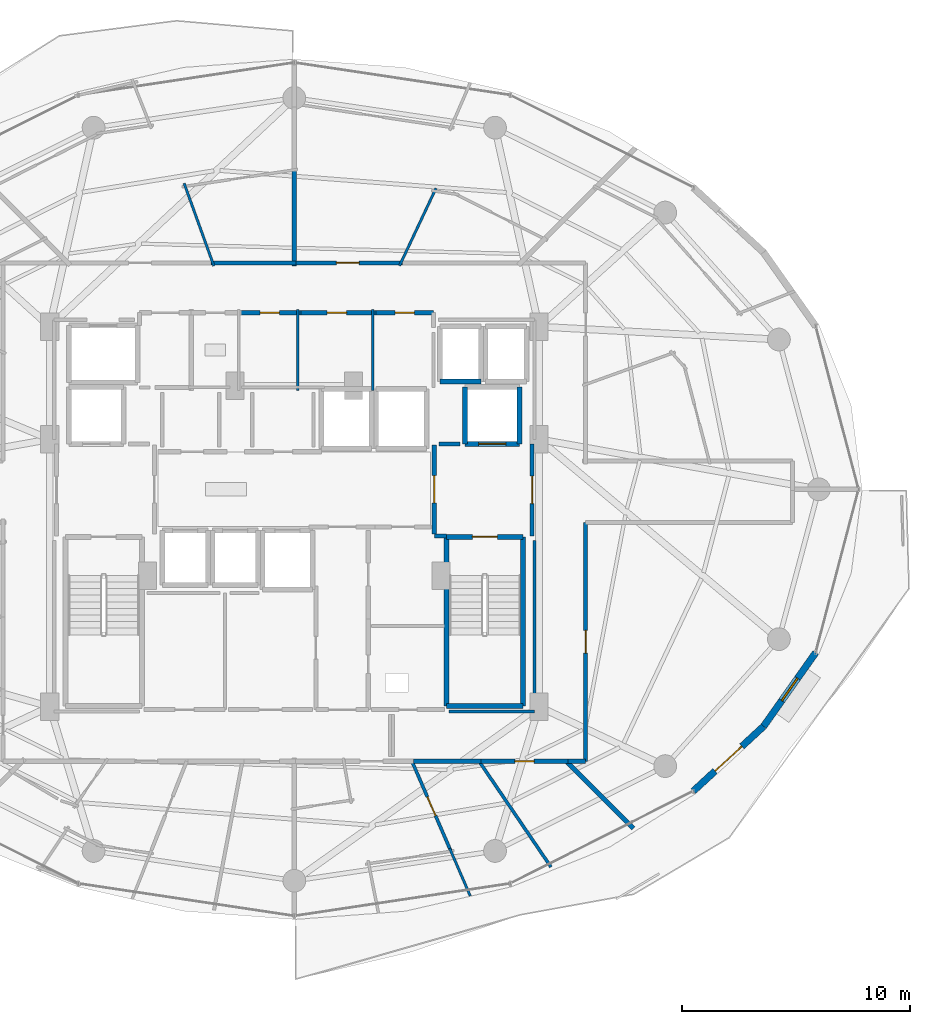
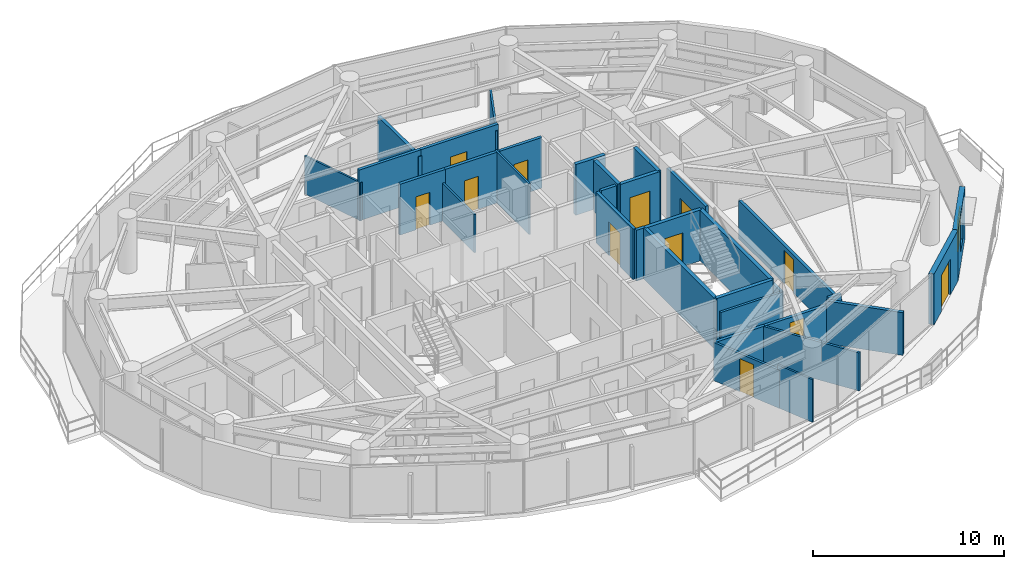
# One storey, part 25 of 31: 34 walls, 12 doors, 1 window, 13 openings.
"""IFC4 building model written with IfcOpenShell, lengths in metres."""

from ifc_helpers import new_model, si_unit, direction, frame, frame_2d, origin, place, context, subcontext, project, spatial, rectangle, extrude, material, layer, layer_set, type_object, element, fill, save


model = new_model("IFC4")

# Units and contexts
model_context = context("Model", 3, precision=1e-05, world=origin(), true_north=direction((0.0, 1.0)))
body_context = subcontext(model_context, "Body", "Model", "MODEL_VIEW")
ifc_project = project(units=[si_unit("LENGTHUNIT", "METRE"), si_unit("AREAUNIT", "SQUARE_METRE"), si_unit("VOLUMEUNIT", "CUBIC_METRE"), si_unit("PLANEANGLEUNIT", "RADIAN"), si_unit("MASSUNIT", "GRAM", prefix="KILO")], contexts=[model_context])

# Site, building, storey
site_placement = place(None, origin())
site = spatial("IfcSite", under=ifc_project, at=site_placement, CompositionType="ELEMENT")
building_placement = place(site_placement, origin())
building = spatial("IfcBuilding", under=site, at=building_placement, Name="Vorneva Point Tower", CompositionType="ELEMENT")
storey_placement = place(building_placement, frame((0.0, 0.0, 129.10009765625)))
storey = spatial("IfcBuildingStorey", under=building, at=storey_placement, Name="L34", CompositionType="ELEMENT", Elevation=129.10009765625)

# Wall, opening, door
ifc_material_1 = material(Name="Concrete B60 (C50/60)", Category="concrete")
ifc_layer_1 = layer(ifc_material_1, 0.5)
ifc_layer_set_1 = layer_set([ifc_layer_1], Name="Concrete B60 (C50/60)")
wall_type_1 = type_object("IfcWallType", Name="WL-CORE-500", PredefinedType="SHEAR", material=ifc_layer_set_1)
wall_1_placement = place(storey_placement, frame((45.5, 28.0, 0.0), z_axis=(0.0, 0.0, 1.0), x_axis=(1.0, 0.0, 0.0)))
wall_1 = element("IfcWall", 1, at=wall_1_placement, inside=storey, type_object=wall_type_1, Name="L34 Lift FFL2 Shaft Wall -Y", PredefinedType="SHEAR", context=body_context, shape_type="SweptSolid", body=[
    extrude(rectangle(XDim=2.39990234375, YDim=0.219970703125, at=frame_2d((1.199951171875, 0.0))), origin(), (0.0, 0.0, 1.0), 3.239990234375),
])
opening_1_placement = place(wall_1_placement, frame((0.60009765625, 0.0, 0.0)))
opening_1 = element("IfcOpeningElement", 2, at=opening_1_placement, cuts=wall_1, Name="Opening LD-02", PredefinedType="OPENING", context=body_context, shape_type="SweptSolid", body=[
    extrude(rectangle(XDim=1.199951171875, YDim=2.199951171875, at=frame_2d((0.60009765625, 1.10009765625))), frame((0.0, 0.125, 0.0), z_axis=(0.0, -1.0, 0.0), x_axis=(1.0, 0.0, 0.0)), (0.0, 0.0, 1.0), 0.249755859375),
])
ifc_material_2 = material(Name="Brushed stainless steel S304", Category="steel")
door_type_1 = type_object("IfcDoorType", Name="LD-FIRE-1200", OperationType="SLIDING_TO_LEFT", PredefinedType="DOOR", material=ifc_material_2)
door_1_placement = place(opening_1_placement, origin())
door_1 = element("IfcDoor", 3, at=door_1_placement, inside=storey, type_object=door_type_1, Name="L34 Lift FFL2 Sliding Landing Door", OperationType="SLIDING_TO_LEFT", OverallHeight=2.199951171875, OverallWidth=1.199951171875, PredefinedType="DOOR", context=body_context, shape_type="SweptSolid", body=[
    extrude(rectangle(XDim=1.199951171875, YDim=2.199951171875, at=frame_2d((0.60009765625, 1.10009765625))), frame((0.0, 0.02490234375, 0.0), z_axis=(0.0, -1.0, 0.0), x_axis=(1.0, 0.0, 0.0)), (0.0, 0.0, 1.0), 0.050048828125),
])
fill(opening_1, door_1)

# Walls
for number, where, z_axis, x_axis, name in (
    (4, (47.89990234375, 28.0, 0.0), (0.0, 0.0, 1.0), (0.0, 1.0, 0.0), "L34 Lift FFL2 Shaft Wall +X"),
    (5, (45.5, 30.5, 0.0), (0.0, 0.0, 1.0), (0.0, -1.0, 0.0), "L34 Lift FFL2 Shaft Wall -X"),
):
    element("IfcWall", number, at=place(storey_placement, frame(where, z_axis=z_axis, x_axis=x_axis)), inside=storey, type_object=wall_type_1, Name=name, PredefinedType="SHEAR", context=body_context, shape_type="SweptSolid", body=[
        extrude(rectangle(XDim=2.5, YDim=0.219970703125, at=frame_2d((1.25, 0.0))), origin(), (0.0, 0.0, 1.0), 3.239990234375),
    ])

# Wall, opening, door
ifc_material_3 = material(Name="Precast concrete B50 (C40/50)", Category="concrete")
ifc_layer_2 = layer(ifc_material_3, 0.300048828125)
ifc_layer_set_2 = layer_set([ifc_layer_2], Name="Precast concrete B50 (C40/50)")
wall_type_2 = type_object("IfcWallType", Name="WL-EXT-300", PredefinedType="STANDARD", material=ifc_layer_set_2)
wall_2_placement = place(storey_placement, frame((55.5361328125, 12.74169921875, 0.0), z_axis=(0.0, 0.0, 1.0), x_axis=(0.735477154165, 0.677549522693, 0.0)))
wall_2 = element("IfcWall", 6, at=wall_2_placement, inside=storey, type_object=wall_type_2, Name="L34 Pale-Metal Facade Spandrel Wall 15.1", PredefinedType="STANDARD", context=body_context, shape_type="SweptSolid", body=[
    extrude(rectangle(XDim=4.193603515625, YDim=0.300048828125, at=frame_2d((2.0966796875, 0.0))), origin(), (0.0, 0.0, 1.0), 3.239990234375),
])
opening_2_placement = place(wall_2_placement, frame((1.296875, 0.0, 0.0)))
opening_2 = element("IfcOpeningElement", 7, at=opening_2_placement, cuts=wall_2, Name="Opening BD-01", PredefinedType="OPENING", context=body_context, shape_type="SweptSolid", body=[
    extrude(rectangle(XDim=1.60009765625, YDim=2.300048828125, at=frame_2d((0.800048828125, 1.14990234375))), frame((0.0, 0.1650390625, 0.0), z_axis=(0.0, -1.0, 0.0), x_axis=(1.0, 0.0, 0.0)), (0.0, 0.0, 1.0), 0.329833984375),
])
ifc_material_4 = material(Name="Pale anodised aluminium", Category="aluminium")
door_type_2 = type_object("IfcDoorType", Name="DR-BAL-1600", OperationType="SLIDING_TO_LEFT", PredefinedType="DOOR", material=ifc_material_4)
door_2_placement = place(opening_2_placement, origin())
door_2 = element("IfcDoor", 8, at=door_2_placement, inside=storey, type_object=door_type_2, Name="L34 Balcony Terrace Access Door 15", OperationType="SLIDING_TO_LEFT", OverallHeight=2.300048828125, OverallWidth=1.60009765625, PredefinedType="DOOR", context=body_context, shape_type="SweptSolid", body=[
    extrude(rectangle(XDim=1.60009765625, YDim=2.300048828125, at=frame_2d((0.800048828125, 1.14990234375))), frame((0.0, 0.02490234375, 0.0), z_axis=(0.0, -1.0, 0.0), x_axis=(1.0, 0.0, 0.0)), (0.0, 0.0, 1.0), 0.050048828125),
])
fill(opening_2, door_2)

# Wall, opening, window
wall_3_placement = place(storey_placement, frame((58.620361328125, 15.5830078125, 0.0), z_axis=(0.0, 0.0, 1.0), x_axis=(0.577269753207, 0.816553508371, 0.0)))
wall_3 = element("IfcWall", 9, at=wall_3_placement, inside=storey, type_object=wall_type_2, Name="L34 Pale-Metal Facade Spandrel Wall 15.2", PredefinedType="STANDARD", context=body_context, shape_type="SweptSolid", body=[
    extrude(rectangle(XDim=3.969970703125, YDim=0.300048828125, at=frame_2d((1.98486328125, 0.0))), origin(), (0.0, 0.0, 1.0), 3.239990234375),
])
opening_3_placement = place(wall_3_placement, frame((1.385009765625, 0.0, 0.85009765625)))
opening_3 = element("IfcOpeningElement", 10, at=opening_3_placement, cuts=wall_3, Name="Opening W-04", PredefinedType="OPENING", context=body_context, shape_type="SweptSolid", body=[
    extrude(rectangle(XDim=1.199951171875, YDim=2.10009765625, at=frame_2d((0.60009765625, 1.050048828125))), frame((0.0, 0.1650390625, 0.0), z_axis=(0.0, -1.0, 0.0), x_axis=(1.0, 0.0, 0.0)), (0.0, 0.0, 1.0), 0.329833984375),
])
ifc_material_5 = material(Name="Double low-e laminated glass IGU", Category="glass")
window_type = type_object("IfcWindowType", Name="WN-RES-1200", PartitioningType="SINGLE_PANEL", PredefinedType="WINDOW", material=ifc_material_5)
window_placement = place(opening_3_placement, origin())
window = element("IfcWindow", 11, at=window_placement, inside=storey, type_object=window_type, Name="L34 Facade Window 15", OverallHeight=2.10009765625, OverallWidth=1.199951171875, PartitioningType="SINGLE_PANEL", PredefinedType="WINDOW", context=body_context, shape_type="SweptSolid", body=[
    extrude(rectangle(XDim=1.199951171875, YDim=2.10009765625, at=frame_2d((0.60009765625, 1.050048828125))), frame((0.0, 0.030029296875, 0.0), z_axis=(0.0, -1.0, 0.0), x_axis=(1.0, 0.0, 0.0)), (0.0, 0.0, 1.0), 0.06005859375),
])
fill(opening_3, window)

# Walls
ifc_material_6 = material(Name="Fire-rated acoustic gypsum stud partition", Category="gypsum")
ifc_layer_3 = layer(ifc_material_6, 0.110107421875)
ifc_layer_set_3 = layer_set([ifc_layer_3], Name="Fire-rated acoustic gypsum stud partition")
wall_type_3 = type_object("IfcWallType", Name="WL-PART-110", PredefinedType="PARTITIONING", material=ifc_layer_set_3)
wall_4_placement = place(storey_placement, frame((38.14990234375, 30.340087890625, 0.0), z_axis=(0.0, 0.0, 1.0), x_axis=(0.0, 1.0, 0.0)))
element("IfcWall", 12, at=wall_4_placement, inside=storey, type_object=wall_type_3, Name="L34 Interior Partition 023", PredefinedType="PARTITIONING", context=body_context, shape_type="SweptSolid", body=[
    extrude(rectangle(XDim=3.559814453125, YDim=0.110107421875, at=frame_2d((1.77978515625, 0.0))), origin(), (0.0, 0.0, 1.0), 2.431884765625),
])
wall_5_placement = place(storey_placement, frame((41.449951171875, 30.340087890625, 0.0), z_axis=(0.0, 0.0, 1.0), x_axis=(0.0, 1.0, 0.0)))
element("IfcWall", 13, at=wall_5_placement, inside=storey, type_object=wall_type_3, Name="L34 Interior Partition 026", PredefinedType="PARTITIONING", context=body_context, shape_type="SweptSolid", body=[
    extrude(rectangle(XDim=3.559814453125, YDim=0.110107421875, at=frame_2d((1.77978515625, 0.0))), origin(), (0.0, 0.0, 1.0), 3.239990234375),
])
wall_6_placement = place(storey_placement, frame((42.622314453125, 35.8232421875, 0.0), z_axis=(0.0, 0.0, 1.0), x_axis=(0.425768969191, 0.904831909735, 0.0)))
element("IfcWall", 14, at=wall_6_placement, inside=storey, type_object=wall_type_3, Name="L34 Interior Partition 079", PredefinedType="PARTITIONING", context=body_context, shape_type="SweptSolid", body=[
    extrude(rectangle(XDim=3.770263671875, YDim=0.110107421875, at=frame_2d((1.88525390625, 0.0))), origin(), (0.0, 0.0, 1.0), 2.8740234375),
])
wall_7_placement = place(storey_placement, frame((34.46533203125, 35.818359375, 0.0), z_axis=(0.0, 0.0, 1.0), x_axis=(-0.338813618534, 0.940853512453, 0.0)))
element("IfcWall", 15, at=wall_7_placement, inside=storey, type_object=wall_type_3, Name="L34 Interior Partition 087", PredefinedType="PARTITIONING", context=body_context, shape_type="SweptSolid", body=[
    extrude(rectangle(XDim=3.8564453125, YDim=0.110107421875, at=frame_2d((1.92822265625, 0.0))), origin(), (0.0, 0.0, 1.0), 2.431884765625),
])
wall_8_placement = place(storey_placement, frame((45.731689453125, 8.133544921875, 0.0), z_axis=(0.0, 0.0, 1.0), x_axis=(-0.397125966554, 0.91776411277, 0.0)))
element("IfcWall", 16, at=wall_8_placement, inside=storey, type_object=wall_type_3, Name="L34 Interior Partition 132", PredefinedType="PARTITIONING", context=body_context, shape_type="SweptSolid", body=[
    extrude(rectangle(XDim=2.277099609375, YDim=0.110107421875, at=frame_2d((1.138671875, 0.0))), origin(), (0.0, 0.0, 1.0), 2.727783203125),
])

# Wall, opening, door
ifc_layer_4 = layer(ifc_material_6, 0.139892578125)
ifc_layer_set_4 = layer_set([ifc_layer_4], Name="Fire-rated acoustic gypsum stud partition")
wall_type_4 = type_object("IfcWallType", Name="WL-PART-140", PredefinedType="PARTITIONING", material=ifc_layer_set_4)
wall_9_placement = place(storey_placement, frame((44.883056640625, 10.094970703125, 0.0), z_axis=(0.0, 0.0, 1.0), x_axis=(-0.397273563399, 0.917700232006, 0.0)))
wall_9 = element("IfcWall", 17, at=wall_9_placement, inside=storey, type_object=wall_type_4, Name="L34 Interior Partition 131", PredefinedType="PARTITIONING", context=body_context, shape_type="SweptSolid", body=[
    extrude(rectangle(XDim=4.309814453125, YDim=0.139892578125, at=frame_2d((2.15478515625, 0.0))), origin(), (0.0, 0.0, 1.0), 2.431884765625),
])
opening_4_placement = place(wall_9_placement, frame((1.704833984375, 0.0, 0.0)))
opening_4 = element("IfcOpeningElement", 18, at=opening_4_placement, cuts=wall_9, Name="Opening ID-01", PredefinedType="OPENING", context=body_context, shape_type="SweptSolid", body=[
    extrude(rectangle(XDim=0.89990234375, YDim=2.10009765625, at=frame_2d((0.449951171875, 1.050048828125))), frame((0.0, 0.0849609375, 0.0), z_axis=(0.0, -1.0, 0.0), x_axis=(1.0, 0.0, 0.0)), (0.0, 0.0, 1.0), 0.169677734375),
])
ifc_material_7 = material(Name="Engineered oak fire-rated door leaf", Category="wood")
door_type_3 = type_object("IfcDoorType", Name="DR-ROOM-900", OperationType="NOTDEFINED", PredefinedType="DOOR", material=ifc_material_7)
door_3_placement = place(opening_4_placement, origin())
door_3 = element("IfcDoor", 19, at=door_3_placement, inside=storey, type_object=door_type_3, Name="L34 Door Living and Dining Room L34-07 / Master Bedroom L34-07.1", OperationType="SINGLE_SWING_LEFT", OverallHeight=2.10009765625, OverallWidth=0.89990234375, PredefinedType="DOOR", context=body_context, shape_type="SweptSolid", body=[
    extrude(rectangle(XDim=0.89990234375, YDim=2.10009765625, at=frame_2d((0.449951171875, 1.050048828125))), frame((0.0, 0.02490234375, 0.0), z_axis=(0.0, -1.0, 0.0), x_axis=(1.0, 0.0, 0.0)), (0.0, 0.0, 1.0), 0.050048828125),
])
fill(opening_4, door_3)

# Walls
wall_10_placement = place(storey_placement, frame((49.280029296875, 9.402099609375, 0.0), z_axis=(0.0, 0.0, 1.0), x_axis=(-0.562106811751, 0.827064648128, 0.0)))
element("IfcWall", 20, at=wall_10_placement, inside=storey, type_object=wall_type_4, Name="L34 Interior Partition 133", PredefinedType="PARTITIONING", context=body_context, shape_type="SweptSolid", body=[
    extrude(rectangle(XDim=5.619873046875, YDim=0.139892578125, at=frame_2d((2.81005859375, 0.0))), origin(), (0.0, 0.0, 1.0), 2.431884765625),
])
wall_11_placement = place(storey_placement, frame((44.804931640625, 16.239990234375, 0.0), z_axis=(0.0, 0.0, 1.0), x_axis=(1.0, 0.0, 0.0)))
element("IfcWall", 21, at=wall_11_placement, inside=storey, type_object=wall_type_4, Name="L34 Interior Closure Partition 154", PredefinedType="PARTITIONING", context=body_context, shape_type="SweptSolid", body=[
    extrude(rectangle(XDim=3.7451171875, YDim=0.139892578125, at=frame_2d((1.87255859375, 0.0))), origin(), (0.0, 0.0, 1.0), 2.431884765625),
])
wall_12_placement = place(storey_placement, frame((48.550048828125, 16.239990234375, 0.0), z_axis=(0.0, 0.0, 1.0), x_axis=(0.0, 1.0, 0.0)))
element("IfcWall", 22, at=wall_12_placement, inside=storey, type_object=wall_type_4, Name="L34 Interior Closure Partition 155", PredefinedType="PARTITIONING", context=body_context, shape_type="SweptSolid", body=[
    extrude(rectangle(XDim=7.513916015625, YDim=0.139892578125, at=frame_2d((3.7568359375, 0.0))), origin(), (0.0, 0.0, 1.0), 2.431884765625),
])

# Wall, opening, door
ifc_material_8 = material(Name="Autoclaved aerated concrete blockwork", Category="masonry")
ifc_layer_5 = layer(ifc_material_8, 0.179931640625)
ifc_layer_set_5 = layer_set([ifc_layer_5], Name="Autoclaved aerated concrete blockwork")
wall_type_5 = type_object("IfcWallType", Name="WL-PART-180", PredefinedType="PARTITIONING", material=ifc_layer_set_5)
wall_13_placement = place(storey_placement, frame((44.14990234375, 27.955078125, 0.0), z_axis=(0.0, 0.0, 1.0), x_axis=(0.0, -1.0, 0.0)))
wall_13 = element("IfcWall", 23, at=wall_13_placement, inside=storey, type_object=wall_type_5, Name="L34 Interior Partition 003", PredefinedType="PARTITIONING", context=body_context, shape_type="SweptSolid", body=[
    extrude(rectangle(XDim=3.91015625, YDim=0.179931640625, at=frame_2d((1.955078125, 0.0))), origin(), (0.0, 0.0, 1.0), 3.239990234375),
])
opening_5_placement = place(wall_13_placement, frame((1.35498046875, 0.0, 0.0)))
opening_5 = element("IfcOpeningElement", 24, at=opening_5_placement, cuts=wall_13, Name="Opening FD-02", PredefinedType="OPENING", context=body_context, shape_type="SweptSolid", body=[
    extrude(rectangle(XDim=1.199951171875, YDim=2.14990234375, at=frame_2d((0.60009765625, 1.074951171875))), frame((0.0, 0.10498046875, 0.0), z_axis=(0.0, -1.0, 0.0), x_axis=(1.0, 0.0, 0.0)), (0.0, 0.0, 1.0), 0.209716796875),
])
ifc_material_9 = material(Name="Fire-rated powder-coated steel", Category="steel")
door_type_4 = type_object("IfcDoorType", Name="DR-FFL-1200", OperationType="NOTDEFINED", PredefinedType="DOOR", material=ifc_material_9)
door_4_placement = place(opening_5_placement, origin())
door_4 = element("IfcDoor", 25, at=door_4_placement, inside=storey, type_object=door_type_4, Name="L34 Door East Firefighting Lobby / Central Lift Lobby", OperationType="SINGLE_SWING_RIGHT", OverallHeight=2.14990234375, OverallWidth=1.199951171875, PredefinedType="DOOR", context=body_context, shape_type="SweptSolid", body=[
    extrude(rectangle(XDim=1.199951171875, YDim=2.14990234375, at=frame_2d((0.60009765625, 1.074951171875))), frame((0.0, 0.02490234375, 0.0), z_axis=(0.0, -1.0, 0.0), x_axis=(1.0, 0.0, 0.0)), (0.0, 0.0, 1.0), 0.050048828125),
])
fill(opening_5, door_4)

# Wall
wall_14_placement = place(storey_placement, frame((44.14990234375, 23.949951171875, 0.0), z_axis=(0.0, 0.0, 1.0), x_axis=(1.0, 0.0, 0.0)))
element("IfcWall", 26, at=wall_14_placement, inside=storey, type_object=wall_type_5, Name="L34 Interior Partition 004", PredefinedType="PARTITIONING", context=body_context, shape_type="SweptSolid", body=[
    extrude(rectangle(XDim=0.5400390625, YDim=0.179931640625, at=frame_2d((0.27001953125, 0.0))), origin(), (0.0, 0.0, 1.0), 3.239990234375),
])

# Wall, opening, door
wall_15_placement = place(storey_placement, frame((48.449951171875, 23.949951171875, 0.0), z_axis=(0.0, 0.0, 1.0), x_axis=(0.0, 1.0, 0.0)))
wall_15 = element("IfcWall", 27, at=wall_15_placement, inside=storey, type_object=wall_type_5, Name="L34 Interior Partition 005", PredefinedType="PARTITIONING", context=body_context, shape_type="SweptSolid", body=[
    extrude(rectangle(XDim=4.050048828125, YDim=0.179931640625, at=frame_2d((2.02490234375, 0.0))), origin(), (0.0, 0.0, 1.0), 3.239990234375),
])
opening_6_placement = place(wall_15_placement, frame((1.425048828125, 0.0, 0.0)))
opening_6 = element("IfcOpeningElement", 28, at=opening_6_placement, cuts=wall_15, Name="Opening FD-02", PredefinedType="OPENING", context=body_context, shape_type="SweptSolid", body=[
    extrude(rectangle(XDim=1.199951171875, YDim=2.14990234375, at=frame_2d((0.60009765625, 1.074951171875))), frame((0.0, 0.10498046875, 0.0), z_axis=(0.0, -1.0, 0.0), x_axis=(1.0, 0.0, 0.0)), (0.0, 0.0, 1.0), 0.209716796875),
])
door_5_placement = place(opening_6_placement, origin())
door_5 = element("IfcDoor", 29, at=door_5_placement, inside=storey, type_object=door_type_4, Name="L34 Door East Firefighting Lobby / L34 Circulation Corridor", OperationType="SINGLE_SWING_LEFT", OverallHeight=2.14990234375, OverallWidth=1.199951171875, PredefinedType="DOOR", context=body_context, shape_type="SweptSolid", body=[
    extrude(rectangle(XDim=1.199951171875, YDim=2.14990234375, at=frame_2d((0.60009765625, 1.074951171875))), frame((0.0, 0.02490234375, 0.0), z_axis=(0.0, -1.0, 0.0), x_axis=(1.0, 0.0, 0.0)), (0.0, 0.0, 1.0), 0.050048828125),
])
fill(opening_6, door_5)

wall_16_placement = place(storey_placement, frame((38.2900390625, 33.760009765625, 0.0), z_axis=(0.0, 0.0, 1.0), x_axis=(-1.0, 0.0, 0.0)))
wall_16 = element("IfcWall", 30, at=wall_16_placement, inside=storey, type_object=wall_type_5, Name="L34 Interior Partition 025", PredefinedType="PARTITIONING", context=body_context, shape_type="SweptSolid", body=[
    extrude(rectangle(XDim=2.739990234375, YDim=0.179931640625, at=frame_2d((1.3701171875, 0.0))), origin(), (0.0, 0.0, 1.0), 3.239990234375),
])
opening_7_placement = place(wall_16_placement, frame((0.945068359375, 0.0, 0.0)))
opening_7 = element("IfcOpeningElement", 31, at=opening_7_placement, cuts=wall_16, Name="Opening ID-02", PredefinedType="OPENING", context=body_context, shape_type="SweptSolid", body=[
    extrude(rectangle(XDim=0.85009765625, YDim=2.10009765625, at=frame_2d((0.425048828125, 1.050048828125))), frame((0.0, 0.10498046875, 0.0), z_axis=(0.0, -1.0, 0.0), x_axis=(1.0, 0.0, 0.0)), (0.0, 0.0, 1.0), 0.209716796875),
])
door_type_5 = type_object("IfcDoorType", Name="DR-BATH-850", OperationType="NOTDEFINED", PredefinedType="DOOR", material=ifc_material_7)
door_6_placement = place(opening_7_placement, origin())
door_6 = element("IfcDoor", 32, at=door_6_placement, inside=storey, type_object=door_type_5, Name="L34 Door Public Male WC / L34 Circulation Corridor", OperationType="SINGLE_SWING_LEFT", OverallHeight=2.10009765625, OverallWidth=0.85009765625, PredefinedType="DOOR", context=body_context, shape_type="SweptSolid", body=[
    extrude(rectangle(XDim=0.85009765625, YDim=2.10009765625, at=frame_2d((0.425048828125, 1.050048828125))), frame((0.0, 0.02490234375, 0.0), z_axis=(0.0, -1.0, 0.0), x_axis=(1.0, 0.0, 0.0)), (0.0, 0.0, 1.0), 0.050048828125),
])
fill(opening_7, door_6)

wall_17_placement = place(storey_placement, frame((41.590087890625, 33.760009765625, 0.0), z_axis=(0.0, 0.0, 1.0), x_axis=(-1.0, 0.0, 0.0)))
wall_17 = element("IfcWall", 33, at=wall_17_placement, inside=storey, type_object=wall_type_5, Name="L34 Interior Partition 028", PredefinedType="PARTITIONING", context=body_context, shape_type="SweptSolid", body=[
    extrude(rectangle(XDim=3.440185546875, YDim=0.179931640625, at=frame_2d((1.72021484375, 0.0))), origin(), (0.0, 0.0, 1.0), 3.239990234375),
])
opening_8_placement = place(wall_17_placement, frame((1.294921875, 0.0, 0.0)))
opening_8 = element("IfcOpeningElement", 34, at=opening_8_placement, cuts=wall_17, Name="Opening ID-02", PredefinedType="OPENING", context=body_context, shape_type="SweptSolid", body=[
    extrude(rectangle(XDim=0.85009765625, YDim=2.10009765625, at=frame_2d((0.425048828125, 1.050048828125))), frame((0.0, 0.10498046875, 0.0), z_axis=(0.0, -1.0, 0.0), x_axis=(1.0, 0.0, 0.0)), (0.0, 0.0, 1.0), 0.209716796875),
])
door_7_placement = place(opening_8_placement, origin())
door_7 = element("IfcDoor", 35, at=door_7_placement, inside=storey, type_object=door_type_5, Name="L34 Door Public Female WC / L34 Circulation Corridor", OperationType="SINGLE_SWING_RIGHT", OverallHeight=2.10009765625, OverallWidth=0.85009765625, PredefinedType="DOOR", context=body_context, shape_type="SweptSolid", body=[
    extrude(rectangle(XDim=0.85009765625, YDim=2.10009765625, at=frame_2d((0.425048828125, 1.050048828125))), frame((0.0, 0.02490234375, 0.0), z_axis=(0.0, -1.0, 0.0), x_axis=(1.0, 0.0, 0.0)), (0.0, 0.0, 1.0), 0.050048828125),
])
fill(opening_8, door_7)

wall_18_placement = place(storey_placement, frame((44.1201171875, 33.760009765625, 0.0), z_axis=(0.0, 0.0, 1.0), x_axis=(-1.0, 0.0, 0.0)))
wall_18 = element("IfcWall", 36, at=wall_18_placement, inside=storey, type_object=wall_type_5, Name="L34 Interior Partition 029", PredefinedType="PARTITIONING", context=body_context, shape_type="SweptSolid", body=[
    extrude(rectangle(XDim=2.530029296875, YDim=0.179931640625, at=frame_2d((1.26513671875, 0.0))), origin(), (0.0, 0.0, 1.0), 3.239990234375),
])
opening_9_placement = place(wall_18_placement, frame((0.840087890625, 0.0, 0.0)))
opening_9 = element("IfcOpeningElement", 37, at=opening_9_placement, cuts=wall_18, Name="Opening ID-02", PredefinedType="OPENING", context=body_context, shape_type="SweptSolid", body=[
    extrude(rectangle(XDim=0.85009765625, YDim=2.10009765625, at=frame_2d((0.425048828125, 1.050048828125))), frame((0.0, 0.10498046875, 0.0), z_axis=(0.0, -1.0, 0.0), x_axis=(1.0, 0.0, 0.0)), (0.0, 0.0, 1.0), 0.209716796875),
])
door_8_placement = place(opening_9_placement, origin())
door_8 = element("IfcDoor", 38, at=door_8_placement, inside=storey, type_object=door_type_5, Name="L34 Door Cleaners Store / L34 Circulation Corridor", OperationType="SINGLE_SWING_LEFT", OverallHeight=2.10009765625, OverallWidth=0.85009765625, PredefinedType="DOOR", context=body_context, shape_type="SweptSolid", body=[
    extrude(rectangle(XDim=0.85009765625, YDim=2.10009765625, at=frame_2d((0.425048828125, 1.050048828125))), frame((0.0, 0.02490234375, 0.0), z_axis=(0.0, -1.0, 0.0), x_axis=(1.0, 0.0, 0.0)), (0.0, 0.0, 1.0), 0.050048828125),
])
fill(opening_9, door_8)

wall_19_placement = place(storey_placement, frame((42.748046875, 35.949951171875, 0.0), z_axis=(0.0, 0.0, 1.0), x_axis=(-1.0, 0.0, 0.0)))
wall_19 = element("IfcWall", 39, at=wall_19_placement, inside=storey, type_object=wall_type_5, Name="L34 Interior Partition 040", PredefinedType="PARTITIONING", context=body_context, shape_type="SweptSolid", body=[
    extrude(rectangle(XDim=4.80810546875, YDim=0.179931640625, at=frame_2d((2.404052734375, 0.0))), origin(), (0.0, 0.0, 1.0), 3.239990234375),
])
opening_10_placement = place(wall_19_placement, frame((1.904052734375, 0.0, 0.0)))
opening_10 = element("IfcOpeningElement", 40, at=opening_10_placement, cuts=wall_19, Name="Opening UD-01", PredefinedType="OPENING", context=body_context, shape_type="SweptSolid", body=[
    extrude(rectangle(XDim=1.0, YDim=2.14990234375, at=frame_2d((0.5, 1.074951171875))), frame((0.0, 0.10498046875, 0.0), z_axis=(0.0, -1.0, 0.0), x_axis=(1.0, 0.0, 0.0)), (0.0, 0.0, 1.0), 0.209716796875),
])
door_type_6 = type_object("IfcDoorType", Name="DR-UNIT-1000", OperationType="NOTDEFINED", PredefinedType="DOOR", material=ifc_material_7)
door_9_placement = place(opening_10_placement, origin())
door_9 = element("IfcDoor", 41, at=door_9_placement, inside=storey, type_object=door_type_6, Name="L34 Door L34 Circulation Corridor / Studio Apartment L34-02", OperationType="SINGLE_SWING_LEFT", OverallHeight=2.14990234375, OverallWidth=1.0, PredefinedType="DOOR", context=body_context, shape_type="SweptSolid", body=[
    extrude(rectangle(XDim=1.0, YDim=2.14990234375, at=frame_2d((0.5, 1.074951171875))), frame((0.0, 0.02490234375, 0.0), z_axis=(0.0, -1.0, 0.0), x_axis=(1.0, 0.0, 0.0)), (0.0, 0.0, 1.0), 0.050048828125),
])
fill(opening_10, door_9)

# Walls
wall_20_placement = place(storey_placement, frame((38.080078125, 35.949951171875, 0.0), z_axis=(0.0, 0.0, 1.0), x_axis=(-1.0, 0.0, 0.0)))
element("IfcWall", 42, at=wall_20_placement, inside=storey, type_object=wall_type_5, Name="L34 Interior Partition 043", PredefinedType="PARTITIONING", context=body_context, shape_type="SweptSolid", body=[
    extrude(rectangle(XDim=3.7421875, YDim=0.179931640625, at=frame_2d((1.87109375, 0.0))), origin(), (0.0, 0.0, 1.0), 3.239990234375),
])
wall_21_placement = place(storey_placement, frame((43.236083984375, 14.050048828125, 0.0), z_axis=(0.0, 0.0, 1.0), x_axis=(1.0, 0.0, 0.0)))
element("IfcWall", 43, at=wall_21_placement, inside=storey, type_object=wall_type_5, Name="L34 Interior Partition 063", PredefinedType="PARTITIONING", context=body_context, shape_type="SweptSolid", body=[
    extrude(rectangle(XDim=2.9580078125, YDim=0.179931640625, at=frame_2d((1.47900390625, 0.0))), origin(), (0.0, 0.0, 1.0), 2.431884765625),
])

# Wall, opening, door
wall_22_placement = place(storey_placement, frame((46.194091796875, 14.050048828125, 0.0), z_axis=(0.0, 0.0, 1.0), x_axis=(1.0, 0.0, 0.0)))
wall_22 = element("IfcWall", 44, at=wall_22_placement, inside=storey, type_object=wall_type_5, Name="L34 Interior Partition 064", PredefinedType="PARTITIONING", context=body_context, shape_type="SweptSolid", body=[
    extrude(rectangle(XDim=3.8408203125, YDim=0.179931640625, at=frame_2d((1.92041015625, 0.0))), origin(), (0.0, 0.0, 1.0), 2.431884765625),
])
opening_11_placement = place(wall_22_placement, frame((1.49560546875, 0.0, 0.0)))
opening_11 = element("IfcOpeningElement", 45, at=opening_11_placement, cuts=wall_22, Name="Opening ID-02", PredefinedType="OPENING", context=body_context, shape_type="SweptSolid", body=[
    extrude(rectangle(XDim=0.85009765625, YDim=2.10009765625, at=frame_2d((0.425048828125, 1.050048828125))), frame((0.0, 0.10498046875, 0.0), z_axis=(0.0, -1.0, 0.0), x_axis=(1.0, 0.0, 0.0)), (0.0, 0.0, 1.0), 0.209716796875),
])
door_10_placement = place(opening_11_placement, origin())
door_10 = element("IfcDoor", 46, at=door_10_placement, inside=storey, type_object=door_type_5, Name="L34 Access Door L34 Circulation Corridor", OperationType="SINGLE_SWING_RIGHT", OverallHeight=2.10009765625, OverallWidth=0.85009765625, PredefinedType="DOOR", context=body_context, shape_type="SweptSolid", body=[
    extrude(rectangle(XDim=0.85009765625, YDim=2.10009765625, at=frame_2d((0.425048828125, 1.050048828125))), frame((0.0, 0.02490234375, 0.0), z_axis=(0.0, -1.0, 0.0), x_axis=(1.0, 0.0, 0.0)), (0.0, 0.0, 1.0), 0.050048828125),
])
fill(opening_11, door_10)

# Wall
wall_23_placement = place(storey_placement, frame((50.034912109375, 14.050048828125, 0.0), z_axis=(0.0, 0.0, 1.0), x_axis=(1.0, 0.0, 0.0)))
element("IfcWall", 47, at=wall_23_placement, inside=storey, type_object=wall_type_5, Name="L34 Interior Partition 065", PredefinedType="PARTITIONING", context=body_context, shape_type="SweptSolid", body=[
    extrude(rectangle(XDim=0.76513671875, YDim=0.179931640625, at=frame_2d((0.382568359375, 0.0))), origin(), (0.0, 0.0, 1.0), 2.8740234375),
])

# Wall, opening, door
wall_24_placement = place(storey_placement, frame((50.800048828125, 14.050048828125, 0.0), z_axis=(0.0, 0.0, 1.0), x_axis=(0.0, 1.0, 0.0)))
wall_24 = element("IfcWall", 48, at=wall_24_placement, inside=storey, type_object=wall_type_5, Name="L34 Interior Partition 066", PredefinedType="PARTITIONING", context=body_context, shape_type="SweptSolid", body=[
    extrude(rectangle(XDim=10.5, YDim=0.179931640625, at=frame_2d((5.25, 0.0))), origin(), (0.0, 0.0, 1.0), 2.431884765625),
])
opening_12_placement = place(wall_24_placement, frame((4.75, 0.0, 0.0)))
opening_12 = element("IfcOpeningElement", 49, at=opening_12_placement, cuts=wall_24, Name="Opening UD-01", PredefinedType="OPENING", context=body_context, shape_type="SweptSolid", body=[
    extrude(rectangle(XDim=1.0, YDim=2.14990234375, at=frame_2d((0.5, 1.074951171875))), frame((0.0, 0.10498046875, 0.0), z_axis=(0.0, -1.0, 0.0), x_axis=(1.0, 0.0, 0.0)), (0.0, 0.0, 1.0), 0.209716796875),
])
door_11_placement = place(opening_12_placement, origin())
door_11 = element("IfcDoor", 50, at=door_11_placement, inside=storey, type_object=door_type_6, Name="L34 Door L34 Circulation Corridor / Residents Sky Lounge L34-08", OperationType="SINGLE_SWING_LEFT", OverallHeight=2.14990234375, OverallWidth=1.0, PredefinedType="DOOR", context=body_context, shape_type="SweptSolid", body=[
    extrude(rectangle(XDim=1.0, YDim=2.14990234375, at=frame_2d((0.5, 1.074951171875))), frame((0.0, 0.02490234375, 0.0), z_axis=(0.0, -1.0, 0.0), x_axis=(1.0, 0.0, 0.0)), (0.0, 0.0, 1.0), 0.050048828125),
])
fill(opening_12, door_11)

# Walls
wall_25_placement = place(storey_placement, frame((45.280029296875, 28.0, 0.0), z_axis=(0.0, 0.0, 1.0), x_axis=(-1.0, 0.0, 0.0)))
element("IfcWall", 51, at=wall_25_placement, inside=storey, type_object=wall_type_5, Name="L34 Interior Closure Partition 136", PredefinedType="PARTITIONING", context=body_context, shape_type="SweptSolid", body=[
    extrude(rectangle(XDim=0.9150390625, YDim=0.179931640625, at=frame_2d((0.45751953125, 0.0))), origin(), (0.0, 0.0, 1.0), 3.239990234375),
])
ifc_layer_6 = layer(ifc_material_8, 0.199951171875)
ifc_layer_set_6 = layer_set([ifc_layer_6], Name="Autoclaved aerated concrete blockwork")
wall_type_6 = type_object("IfcWallType", Name="WL-PART-200", PredefinedType="PARTITIONING", material=ifc_layer_set_6)
wall_26_placement = place(storey_placement, frame((38.0, 40.114990234375, 0.0), z_axis=(0.0, 0.0, 1.0), x_axis=(0.0, -1.0, 0.0)))
element("IfcWall", 52, at=wall_26_placement, inside=storey, type_object=wall_type_6, Name="L34 Interior Partition 085", PredefinedType="PARTITIONING", context=body_context, shape_type="SweptSolid", body=[
    extrude(rectangle(XDim=4.304931640625, YDim=0.199951171875, at=frame_2d((2.15234375, 0.0))), origin(), (0.0, 0.0, 1.0), 2.8740234375),
])
wall_27_placement = place(storey_placement, frame((52.89501953125, 11.10498046875, 0.0), z_axis=(0.0, 0.0, 1.0), x_axis=(-0.707106781187, 0.707106781187, 0.0)))
element("IfcWall", 53, at=wall_27_placement, inside=storey, type_object=wall_type_6, Name="L34 Interior Partition 134", PredefinedType="PARTITIONING", context=body_context, shape_type="SweptSolid", body=[
    extrude(rectangle(XDim=4.1650390625, YDim=0.199951171875, at=frame_2d((2.08251953125, 0.0))), origin(), (0.0, 0.0, 1.0), 2.727783203125),
])

# Wall, opening, door
ifc_material_10 = material(Name="Concrete B50 (C40/50)", Category="concrete")
ifc_layer_7 = layer(ifc_material_10, 0.219970703125)
ifc_layer_set_7 = layer_set([ifc_layer_7], Name="Concrete B50 (C40/50)")
wall_type_7 = type_object("IfcWallType", Name="WL-SHFT-220", PredefinedType="SOLIDWALL", material=ifc_layer_set_7)
wall_28_placement = place(storey_placement, frame((44.68994140625, 23.909912109375, 0.0), z_axis=(0.0, 0.0, 1.0), x_axis=(1.0, 0.0, 0.0)))
wall_28 = element("IfcWall", 54, at=wall_28_placement, inside=storey, type_object=wall_type_7, Name="L34 Exit Stair ST2 Shaft Wall near", PredefinedType="SOLIDWALL", context=body_context, shape_type="SweptSolid", body=[
    extrude(rectangle(XDim=3.3701171875, YDim=0.219970703125, at=frame_2d((1.68505859375, 0.0))), origin(), (0.0, 0.0, 1.0), 3.239990234375),
])
opening_13_placement = place(wall_28_placement, frame((1.135009765625, 0.0, 0.0)))
opening_13 = element("IfcOpeningElement", 55, at=opening_13_placement, cuts=wall_28, Name="Opening FD-01", PredefinedType="OPENING", context=body_context, shape_type="SweptSolid", body=[
    extrude(rectangle(XDim=1.10009765625, YDim=2.14990234375, at=frame_2d((0.550048828125, 1.074951171875))), frame((0.0, 0.125, 0.0), z_axis=(0.0, -1.0, 0.0), x_axis=(1.0, 0.0, 0.0)), (0.0, 0.0, 1.0), 0.249755859375),
])
door_type_7 = type_object("IfcDoorType", Name="DR-STAIR-1100", OperationType="NOTDEFINED", PredefinedType="DOOR", material=ifc_material_9)
door_12_placement = place(opening_13_placement, origin())
door_12 = element("IfcDoor", 56, at=door_12_placement, inside=storey, type_object=door_type_7, Name="L34 Exit Stair ST2 Fire Door", OperationType="SINGLE_SWING_LEFT", OverallHeight=2.14990234375, OverallWidth=1.10009765625, PredefinedType="DOOR", context=body_context, shape_type="SweptSolid", body=[
    extrude(rectangle(XDim=1.10009765625, YDim=2.14990234375, at=frame_2d((0.550048828125, 1.074951171875))), frame((0.0, 0.02490234375, 0.0), z_axis=(0.0, -1.0, 0.0), x_axis=(1.0, 0.0, 0.0)), (0.0, 0.0, 1.0), 0.050048828125),
])
fill(opening_13, door_12)

# Walls
wall_29_placement = place(storey_placement, frame((48.06005859375, 23.909912109375, 0.0), z_axis=(0.0, 0.0, 1.0), x_axis=(0.0, -1.0, 0.0)))
element("IfcWall", 57, at=wall_29_placement, inside=storey, type_object=wall_type_7, Name="L34 Exit Stair ST2 Shaft Wall right", PredefinedType="SOLIDWALL", context=body_context, shape_type="SweptSolid", body=[
    extrude(rectangle(XDim=7.419921875, YDim=0.219970703125, at=frame_2d((3.7099609375, 0.0))), origin(), (0.0, 0.0, 1.0), 3.239990234375),
])
wall_30_placement = place(storey_placement, frame((48.06005859375, 16.489990234375, 0.0), z_axis=(0.0, 0.0, 1.0), x_axis=(-1.0, 0.0, 0.0)))
element("IfcWall", 58, at=wall_30_placement, inside=storey, type_object=wall_type_7, Name="L34 Exit Stair ST2 Shaft Wall far", PredefinedType="SOLIDWALL", context=body_context, shape_type="SweptSolid", body=[
    extrude(rectangle(XDim=3.3701171875, YDim=0.219970703125, at=frame_2d((1.68505859375, 0.0))), origin(), (0.0, 0.0, 1.0), 3.239990234375),
])
wall_31_placement = place(storey_placement, frame((44.68994140625, 16.489990234375, 0.0), z_axis=(0.0, 0.0, 1.0), x_axis=(0.0, 1.0, 0.0)))
element("IfcWall", 59, at=wall_31_placement, inside=storey, type_object=wall_type_7, Name="L34 Exit Stair ST2 Shaft Wall left", PredefinedType="SOLIDWALL", context=body_context, shape_type="SweptSolid", body=[
    extrude(rectangle(XDim=7.419921875, YDim=0.219970703125, at=frame_2d((3.7099609375, 0.0))), origin(), (0.0, 0.0, 1.0), 3.239990234375),
])
wall_32_placement = place(storey_placement, frame((44.39990234375, 30.739990234375, 0.0), z_axis=(0.0, 0.0, 1.0), x_axis=(1.0, 0.0, 0.0)))
element("IfcWall", 60, at=wall_32_placement, inside=storey, type_object=wall_type_7, Name="L34 Lift EX1 Shaft Wall -Y", PredefinedType="SOLIDWALL", context=body_context, shape_type="SweptSolid", body=[
    extrude(rectangle(XDim=1.800048828125, YDim=0.219970703125, at=frame_2d((0.89990234375, 0.0))), origin(), (0.0, 0.0, 1.0), 3.239990234375),
])

save(model, "model.ifc")
